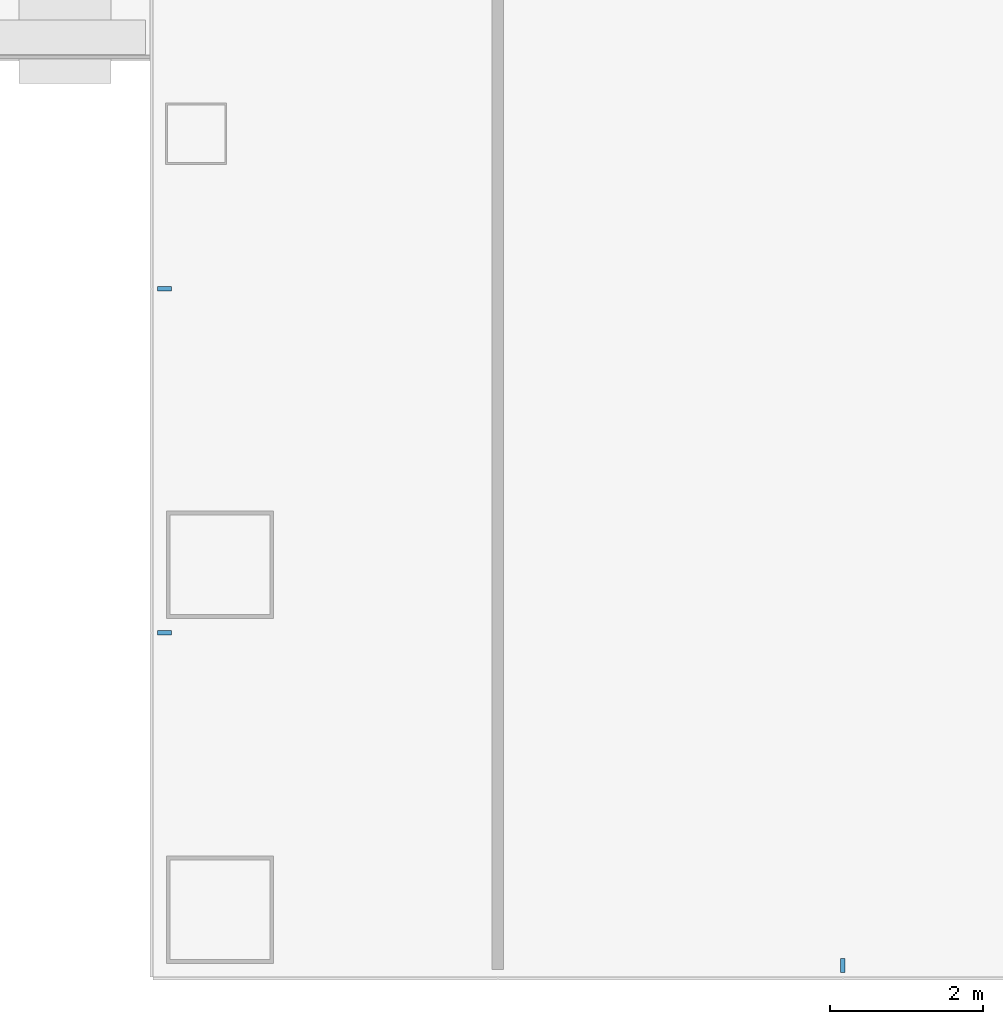
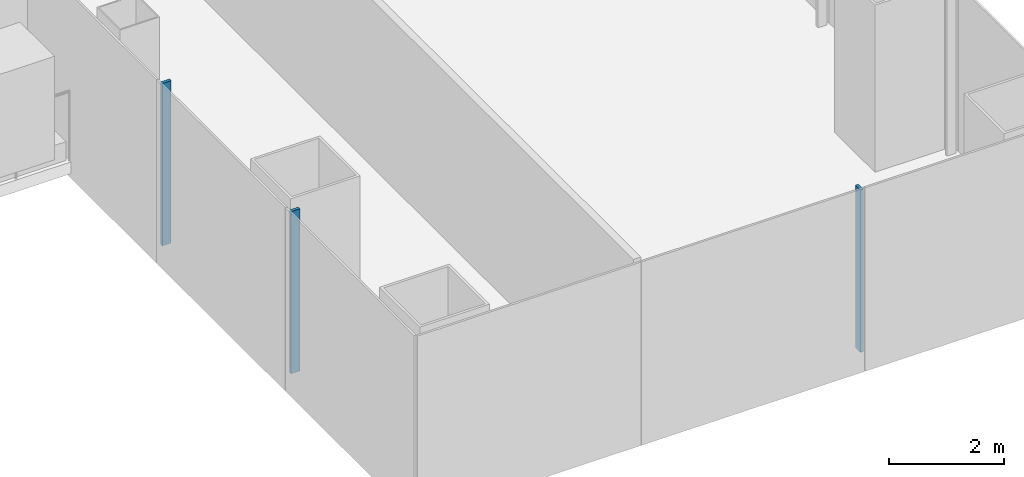
# One storey, part 3 of 21: 3 members, 2 elements without a shape of their own.
"""IFC4 building model written with IfcOpenShell, lengths in metres."""

from ifc_helpers import new_model, si_unit, direction, frame, origin, origin_2d, place, context, subcontext, project, spatial, rectangle, extrude, material, layer, layer_set, material_profile, profile_set, type_object, element, aggregate, save


model = new_model("IFC4")

# Units and contexts
model_context = context("Model", 3, precision=1e-05, world=origin(), true_north=direction((0.0, 1.0)))
body_context = subcontext(model_context, "Body", "Model", "MODEL_VIEW")
ifc_project = project(units=[si_unit("LENGTHUNIT", "METRE"), si_unit("AREAUNIT", "SQUARE_METRE"), si_unit("VOLUMEUNIT", "CUBIC_METRE"), si_unit("PLANEANGLEUNIT", "RADIAN"), si_unit("MASSUNIT", "GRAM", prefix="KILO")], contexts=[model_context])

# Site, building, storey
site_placement = place(None, origin())
site = spatial("IfcSite", under=ifc_project, at=site_placement, CompositionType="ELEMENT")
building_placement = place(site_placement, origin())
building = spatial("IfcBuilding", under=site, at=building_placement, Name="Shamsa Quay Exchange Towers", CompositionType="ELEMENT")
storey_placement = place(building_placement, frame((0.0, 0.0, 61.5)))
storey = spatial("IfcBuildingStorey", under=building, at=storey_placement, Name="L13", CompositionType="ELEMENT", Elevation=61.5)

# Curtain wall, members
ifc_material = material(Name="Aluminium EN AW-6063 T6, black anodised", Category="aluminium")
ifc_layer = layer(ifc_material, 0.280029296875)
ifc_layer_set = layer_set([ifc_layer], Name="CW-1 UNITISED VISION GLASS")
curtain_wall_type = type_object("IfcCurtainWallType", Name="CW-1 UNITISED VISION GLASS", PredefinedType="NOTDEFINED", material=ifc_layer_set)
curtain_wall_1_placement = place(storey_placement, origin())
curtain_wall_1 = element("IfcCurtainWall", 1, at=curtain_wall_1_placement, inside=storey, type_object=curtain_wall_type, Name="CW1 T1-FLK-V-W L13", PredefinedType="NOTDEFINED")
ifc_material_profile = material_profile(ifc_material, rectangle(XDim=0.179931640625, YDim=0.06005859375, at=origin_2d()), Name="MU60x180")
ifc_profile_set = profile_set([ifc_material_profile], Name="Aluminium EN AW-6063 T6, black anodised")
member_type = type_object("IfcMemberType", Name="CW1 MULLION 60x180", PredefinedType="MULLION", material=ifc_profile_set)
member_1_placement = place(storey_placement, frame((-40.35009765625, -15.775390625, 0.0)))
member_1 = element("IfcMember", 2, at=member_1_placement, type_object=member_type, Name="CW1 mullion", PredefinedType="MULLION", context=body_context, shape_type="SweptSolid", body=[
    extrude(rectangle(XDim=0.179931640625, YDim=0.06005859375, at=origin_2d()), origin(), (0.0, 0.0, 1.0), 3.449951171875),
])
member_2_placement = place(storey_placement, frame((-40.35009765625, -20.2626953125, 0.0)))
member_2 = element("IfcMember", 3, at=member_2_placement, type_object=member_type, Name="CW1 mullion", PredefinedType="MULLION", context=body_context, shape_type="SweptSolid", body=[
    extrude(rectangle(XDim=0.179931640625, YDim=0.06005859375, at=origin_2d()), origin(), (0.0, 0.0, 1.0), 3.449951171875),
])
aggregate(curtain_wall_1, [member_1, member_2])

# Curtain wall, member
curtain_wall_2_placement = place(storey_placement, origin())
curtain_wall_2 = element("IfcCurtainWall", 4, at=curtain_wall_2_placement, inside=storey, type_object=curtain_wall_type, Name="CW1 T1-END-V- L13", PredefinedType="NOTDEFINED")
member_3_placement = place(storey_placement, frame((-31.5, -24.60009765625, 0.0), z_axis=(0.0, 0.0, 1.0), x_axis=(0.0, 1.0, 0.0)))
member_3 = element("IfcMember", 5, at=member_3_placement, type_object=member_type, Name="CW1 mullion", PredefinedType="MULLION", context=body_context, shape_type="SweptSolid", body=[
    extrude(rectangle(XDim=0.179931640625, YDim=0.06005859375, at=origin_2d()), origin(), (0.0, 0.0, 1.0), 3.449951171875),
])
aggregate(curtain_wall_2, [member_3])

save(model, "model.ifc")
